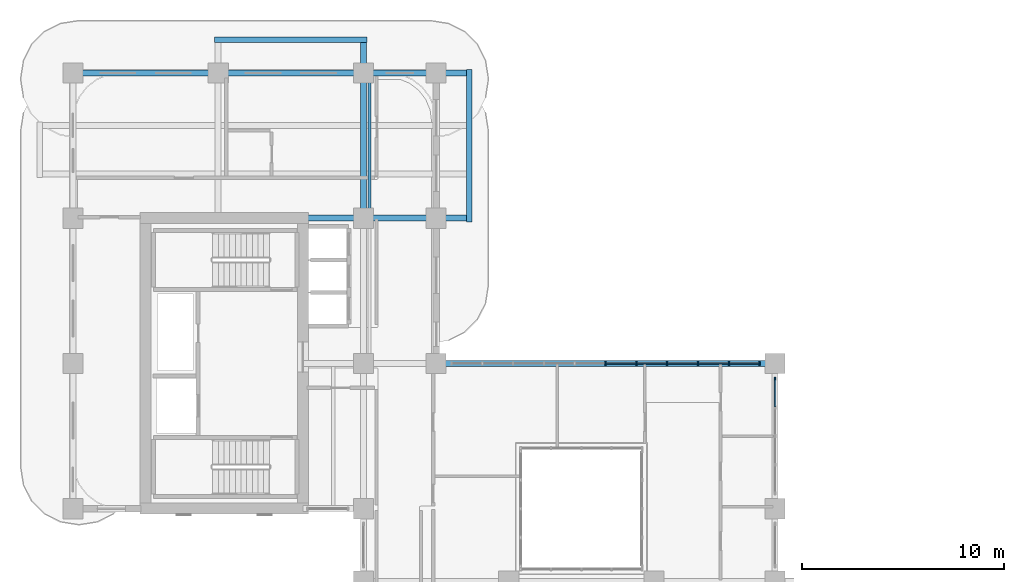
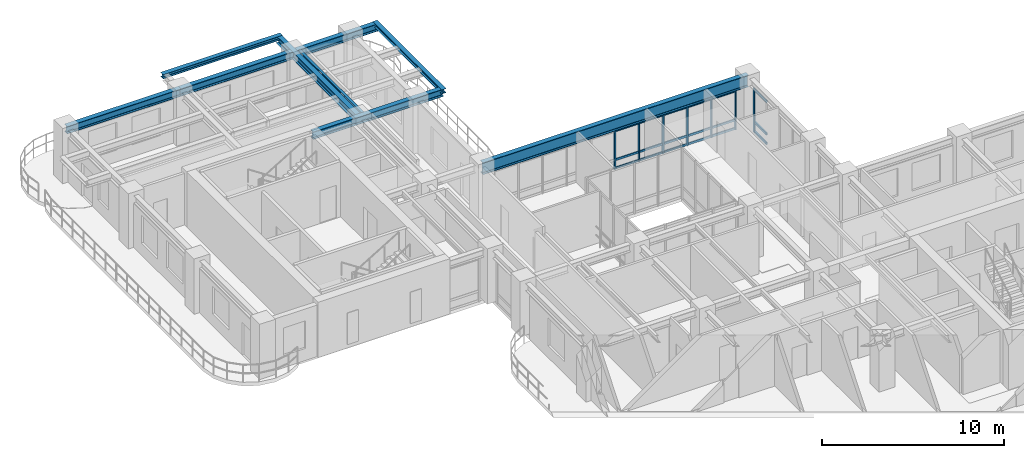
# One storey, part 6 of 20: 25 members, 8 beams, 2 elements without a shape of their own.
"""IFC4 building model written with IfcOpenShell, lengths in metres."""

import ifcopenshell
import ifcopenshell.guid

model = None  # the IFC model being written
_history = None  # IfcOwnerHistory: only IFC2X3 demands one
_inside = {}  # id of a spatial element -> (the spatial element, [elements in it])
_under = {}  # id of a project, library or spatial element -> (it, [spatial elements below it])
_declared = {}  # id of a project -> (the project, [libraries it declares])
_typed = {}  # id of a type object -> (the type object, [elements of that type])
_made_of = {}  # id of a material, layer set ... -> (it, [elements and type objects made of it])


def new_model(schema):
    """Start an empty IFC model of exactly this schema.

    Asked for "IFC4X3", IfcOpenShell would pick the latest addendum, in which some entities
    have other attributes; the version numbers below select the first issue.
    IFC2X3 requires an IfcOwnerHistory on every rooted entity: one is made here for all.
    """
    global model, _history
    if schema == "IFC4X3":
        model = ifcopenshell.file(schema_version=(4, 3, 0, 0))
    else:
        model = ifcopenshell.file(schema=schema)
    _inside.clear()
    _under.clear()
    _declared.clear()
    _typed.clear()
    _made_of.clear()
    _history = None
    if model.schema == "IFC2X3":
        org = make("IfcOrganization", Name="unknown")
        user = make(
            "IfcPersonAndOrganization",
            ThePerson=make("IfcPerson", FamilyName="unknown"),
            TheOrganization=org,
        )
        app = make(
            "IfcApplication",
            ApplicationDeveloper=org,
            Version="unknown",
            ApplicationFullName="unknown",
            ApplicationIdentifier="unknown",
        )
        _history = make(
            "IfcOwnerHistory",
            OwningUser=user,
            OwningApplication=app,
            ChangeAction="ADDED",
            CreationDate=0,
        )
    return model


def make(cls, **values):
    """One entity of the class cls with the attributes given. An attribute that is None is left unset."""
    return model.create_entity(
        cls, **{name: value for name, value in values.items() if value is not None}
    )


def rooted(cls, **values):
    """An entity with a GlobalId (a new one), such as an element, a storey or a relation."""
    return make(cls, GlobalId=ifcopenshell.guid.new(), OwnerHistory=_history, **values)


def si_unit(unit_type, name, prefix=None):
    """IfcSIUnit, for example si_unit("LENGTHUNIT", "METRE", prefix="MILLI")."""
    return make("IfcSIUnit", UnitType=unit_type, Prefix=prefix, Name=name)


def derived_unit(unit_type, elements):
    """IfcDerivedUnit: a product of units, each with its exponent."""
    return make(
        "IfcDerivedUnit",
        Elements=[
            make("IfcDerivedUnitElement", Unit=unit, Exponent=power)
            for unit, power in elements
        ],
        UnitType=unit_type,
    )


def assignment(units):
    """IfcUnitAssignment: the units of a project."""
    return None if units is None else make("IfcUnitAssignment", Units=units)


def point(xyz):
    """IfcCartesianPoint."""
    return None if xyz is None else make("IfcCartesianPoint", Coordinates=xyz)


def direction(xyz):
    """IfcDirection."""
    return None if xyz is None else make("IfcDirection", DirectionRatios=xyz)


def frame(location, z_axis=None, x_axis=None):
    """IfcAxis2Placement3D, a coordinate frame: its origin and axes. An axis left out is left unset."""
    return make(
        "IfcAxis2Placement3D",
        Location=point(location),
        Axis=direction(z_axis),
        RefDirection=direction(x_axis),
    )


def frame_2d(location, x_axis=None):
    """IfcAxis2Placement2D, a coordinate frame in the plane: its origin and x axis."""
    return make(
        "IfcAxis2Placement2D", Location=point(location), RefDirection=direction(x_axis)
    )


def origin():
    """The frame at (0, 0, 0) with its axes left unset."""
    return frame((0.0, 0.0, 0.0))


def origin_2d():
    """The frame at (0, 0) in the plane with its x axis left unset."""
    return frame_2d((0.0, 0.0))


def place(relative_to, where):
    """IfcLocalPlacement: puts the frame where relative to a parent placement (None: the world)."""
    return make(
        "IfcLocalPlacement", PlacementRelTo=relative_to, RelativePlacement=where
    )


def context(
    kind, dimensions, precision=None, world=None, true_north=None, identifier=None
):
    """IfcGeometricRepresentationContext, for example the 3D "Model" context."""
    return make(
        "IfcGeometricRepresentationContext",
        ContextIdentifier=identifier,
        ContextType=kind,
        CoordinateSpaceDimension=dimensions,
        Precision=precision,
        WorldCoordinateSystem=world,
        TrueNorth=true_north,
    )


def subcontext(parent, identifier, kind, view, scale=None):
    """IfcGeometricRepresentationSubContext, for example "Body" below "Model"."""
    return make(
        "IfcGeometricRepresentationSubContext",
        ContextIdentifier=identifier,
        ContextType=kind,
        ParentContext=parent,
        TargetScale=scale,
        TargetView=view,
    )


def project(units=None, contexts=None):
    """IfcProject with its units and contexts."""
    return rooted(
        "IfcProject",
        Name="project",
        RepresentationContexts=contexts,
        UnitsInContext=assignment(units),
    )


def spatial(cls, under=None, at=None, **own):
    """A site, building, storey or space (cls), placed at a placement, below another one or the project."""
    s = rooted(cls, ObjectPlacement=at, **own)
    if under is not None:
        _under.setdefault(under.id(), (under, []))[1].append(s)
    return s


def profile(cls, at=None, kind="AREA", **sizes):
    """A parametric profile (cls). Its sizes go by their IFC names, for example OverallWidth=200.0."""
    return make(cls, ProfileType=kind, Position=at, **sizes)


def rectangle(**sizes):
    """IfcRectangleProfileDef."""
    return profile("IfcRectangleProfileDef", **sizes)


def i_section(**sizes):
    """IfcIShapeProfileDef."""
    return profile("IfcIShapeProfileDef", **sizes)


def extrude(swept, where, along, depth):
    """IfcExtrudedAreaSolid: the profile swept, set in the frame where, extruded along a direction by depth."""
    return make(
        "IfcExtrudedAreaSolid",
        SweptArea=swept,
        Position=where,
        ExtrudedDirection=direction(along),
        Depth=depth,
    )


def shape(context_of_items, identifier, shape_type, items):
    """IfcShapeRepresentation: the items that make up one representation, for example the "Body"."""
    return make(
        "IfcShapeRepresentation",
        ContextOfItems=context_of_items,
        RepresentationIdentifier=identifier,
        RepresentationType=shape_type,
        Items=items,
    )


def source(mapping_origin, context_of_items, identifier, shape_type, items):
    """IfcRepresentationMap: a shape defined once, which mapped items show again and again."""
    return make(
        "IfcRepresentationMap",
        MappingOrigin=mapping_origin,
        MappedRepresentation=shape(context_of_items, identifier, shape_type, items),
    )


def transform(
    local_origin,
    x_axis=None,
    y_axis=None,
    z_axis=None,
    scale=None,
    scale2=None,
    scale3=None,
    uniform=True,
):
    """IfcCartesianTransformationOperator3D, or its non-uniform kind. x_axis, y_axis, z_axis: its Axis1, 2, 3."""
    if uniform:
        return make(
            "IfcCartesianTransformationOperator3D",
            Axis1=direction(x_axis),
            Axis2=direction(y_axis),
            LocalOrigin=point(local_origin),
            Scale=scale,
            Axis3=direction(z_axis),
        )
    return make(
        "IfcCartesianTransformationOperator3DnonUniform",
        Axis1=direction(x_axis),
        Axis2=direction(y_axis),
        LocalOrigin=point(local_origin),
        Scale=scale,
        Axis3=direction(z_axis),
        Scale2=scale2,
        Scale3=scale3,
    )


def mapped(mapping_source, mapping_target):
    """IfcMappedItem: shows the shape of a source again, moved by a transform."""
    return make(
        "IfcMappedItem", MappingSource=mapping_source, MappingTarget=mapping_target
    )


def material(Name=None, Category=None):
    """IfcMaterial."""
    return make("IfcMaterial", Name=Name, Category=Category)


def layer(
    of_material, thickness, ventilated=None, Name=None, Category=None, Priority=None
):
    """IfcMaterialLayer: one layer of a wall or slab, of a material (None: an air gap)."""
    return make(
        "IfcMaterialLayer",
        Material=of_material,
        LayerThickness=thickness,
        IsVentilated=ventilated,
        Name=Name,
        Category=Category,
        Priority=Priority,
    )


def layer_set(layers, Name=None):
    """IfcMaterialLayerSet."""
    return make("IfcMaterialLayerSet", MaterialLayers=layers, LayerSetName=Name)


def material_profile(
    of_material, cross_section, Name=None, Category=None, Priority=None
):
    """IfcMaterialProfile: a cross section and its material."""
    return make(
        "IfcMaterialProfile",
        Name=Name,
        Material=of_material,
        Profile=cross_section,
        Priority=Priority,
        Category=Category,
    )


def profile_set(profiles, Name=None, composite=None):
    """IfcMaterialProfileSet."""
    return make(
        "IfcMaterialProfileSet",
        Name=Name,
        MaterialProfiles=profiles,
        CompositeProfile=composite,
    )


def made_of(thing, what):
    """Note that an element or type object is made of a material, layer set ...; save() writes the relation."""
    if what is not None:
        _made_of.setdefault(what.id(), (what, []))[1].append(thing)
    return thing


def type_object(cls, material=None, **own):
    """A type object (cls), such as IfcWallType, which elements share."""
    return made_of(rooted(cls, **own), material)


def type_shapes(of_type, sources):
    """Give a type object the sources (RepresentationMaps) that its elements show as mapped items."""
    of_type.RepresentationMaps = sources


def element(
    cls,
    number,
    at=None,
    inside=None,
    cuts=None,
    type_object=None,
    material=None,
    context=None,
    identifier="Body",
    shape_type=None,
    held_by="IfcProductDefinitionShape",
    body=None,
    shapes=None,
    **own,
):
    """One element of the class cls, such as IfcWall. Its Tag is "e" and its number.

    at: its placement. inside: the storey or other place that contains it. cuts: it is an
    opening in that element (IfcRelVoidsElement). A single representation is given by context,
    identifier, shape_type and body (its items); several are given by shapes. held_by: the class
    of the entity that holds the representations. save() writes the other relations.
    """
    e = rooted(cls, Tag="e%d" % number, ObjectPlacement=at, **own)
    if body is not None:
        shapes = [shape(context, identifier, shape_type, body)]
    if shapes is not None:
        e.Representation = make(held_by, Representations=shapes)
    if inside is not None:
        _inside.setdefault(inside.id(), (inside, []))[1].append(e)
    if cuts is not None:
        rooted(
            "IfcRelVoidsElement", RelatingBuildingElement=cuts, RelatedOpeningElement=e
        )
    if type_object is not None:
        _typed.setdefault(type_object.id(), (type_object, []))[1].append(e)
    return made_of(e, material)


def aggregate(whole, parts):
    """IfcRelAggregates: a whole, such as a stair, and the parts it consists of."""
    return rooted("IfcRelAggregates", RelatingObject=whole, RelatedObjects=parts)


def save(model, path):
    """Write the relations noted so far, then the file.

    IfcRelAggregates (storeys below a building ...), IfcRelContainedInSpatialStructure (elements
    in a storey), IfcRelDefinesByType, IfcRelAssociatesMaterial and IfcRelDeclares: one each for
    every whole, place, type object, material and project.
    """
    for whole, parts in _under.values():
        aggregate(whole, parts)
    for where, things in _inside.values():
        rooted(
            "IfcRelContainedInSpatialStructure",
            RelatedElements=things,
            RelatingStructure=where,
        )
    for kind, things in _typed.values():
        rooted("IfcRelDefinesByType", RelatedObjects=things, RelatingType=kind)
    for what, things in _made_of.values():
        rooted("IfcRelAssociatesMaterial", RelatedObjects=things, RelatingMaterial=what)
    for by, libraries in _declared.values():
        rooted("IfcRelDeclares", RelatingContext=by, RelatedDefinitions=libraries)
    model.write(path)


model = new_model("IFC4")

# Units and contexts
model_context = context("Model", 3, precision=1e-05, world=origin(), true_north=direction((0.0, 1.0)))
body_context = subcontext(model_context, "Body", "Model", "MODEL_VIEW")
ifc_project = project(units=[si_unit("LENGTHUNIT", "METRE"), si_unit("AREAUNIT", "SQUARE_METRE"), si_unit("VOLUMEUNIT", "CUBIC_METRE"), si_unit("PLANEANGLEUNIT", "RADIAN"), si_unit("MASSUNIT", "GRAM", prefix="KILO"), si_unit("THERMODYNAMICTEMPERATUREUNIT", "KELVIN"), si_unit("POWERUNIT", "WATT"), derived_unit("THERMALTRANSMITTANCEUNIT", [(si_unit("POWERUNIT", "WATT"), 1), (si_unit("AREAUNIT", "SQUARE_METRE"), -1), (si_unit("THERMODYNAMICTEMPERATUREUNIT", "KELVIN"), -1)])], contexts=[model_context])

# Site, building, storey
site_placement = place(None, origin())
site = spatial("IfcSite", under=ifc_project, at=site_placement, CompositionType="ELEMENT")
building_placement = place(site_placement, origin())
building = spatial("IfcBuilding", under=site, at=building_placement, Name="Zahravan Archway Hotel and Residences", CompositionType="ELEMENT")
storey_placement = place(building_placement, frame((0.0, 0.0, 137.699951171875)))
storey = spatial("IfcBuildingStorey", under=building, at=storey_placement, Name="L34", CompositionType="ELEMENT", Elevation=137.699951171875)

# Beams
ifc_material_1 = material(Name="Structural Steel S355JR", Category="steel")
ifc_material_profile_1 = material_profile(ifc_material_1, i_section(OverallWidth=0.280029296875, OverallDepth=0.280029296875, WebThickness=0.010498046875, FlangeThickness=0.01806640625, FilletRadius=0.02392578125, at=origin_2d()), Name="HEB 280", Category="steel")
ifc_profile_set_1 = profile_set([ifc_material_profile_1], Name="Structural Steel S355JR")
beam_type_1 = type_object("IfcBeamType", Name="BM-SPN-HEB280", PredefinedType="SPANDREL", material=ifc_profile_set_1)
shared_shape_1 = source(origin(), body_context, "Body", "SweptSolid", [
    extrude(i_section(OverallWidth=0.280029296875, OverallDepth=0.280029296875, WebThickness=0.010498046875, FlangeThickness=0.01806640625, FilletRadius=0.02392578125, at=origin_2d()), origin(), (0.0, 0.0, 1.0), 7.56005859375),
])
type_shapes(beam_type_1, [shared_shape_1])
for number, where, z_axis, x_axis, name in (
    (1, (19.64990234375, 39.419921875, 3.31005859375), (0.0, 1.0, 0.0), (-1.0, 0.0, 0.0), "L35 EB Balcony Edge Spandrel"),
    (2, (7.02001953125, 48.449951171875, 3.31005859375), (1.0, 0.0, 0.0), (0.0, 1.0, 0.0), "L35 NB Balcony Edge Spandrel"),
):
    element("IfcBeam", number, at=place(storey_placement, frame(where, z_axis=z_axis, x_axis=x_axis)), inside=storey, type_object=beam_type_1, Name=name, PredefinedType="SPANDREL", context=body_context, shape_type="MappedRepresentation", body=[
        mapped(shared_shape_1, transform((0.0, 0.0, 0.0), scale=1.0)),
    ])
ifc_material_2 = material(Name="Structural Steel S355J2", Category="steel")
ifc_material_profile_2 = material_profile(ifc_material_2, i_section(OverallWidth=0.300048828125, OverallDepth=0.800048828125, WebThickness=0.017578125, FlangeThickness=0.032958984375, FilletRadius=0.030029296875, at=origin_2d()), Name="HEB 800", Category="steel")
ifc_profile_set_2 = profile_set([ifc_material_profile_2], Name="Structural Steel S355J2")
beam_type_2 = type_object("IfcBeamType", Name="BM-PRI-HEB800", PredefinedType="BEAM", material=ifc_profile_set_2)
shared_shape_2 = source(origin(), body_context, "Body", "SweptSolid", [
    extrude(i_section(OverallWidth=0.300048828125, OverallDepth=0.800048828125, WebThickness=0.017578125, FlangeThickness=0.032958984375, FilletRadius=0.030029296875, at=origin_2d()), origin(), (0.0, 0.0, 1.0), 16.800048828125),
])
type_shapes(beam_type_2, [shared_shape_2])
beam_1_placement = place(storey_placement, frame((18.0, 32.39990234375, 3.050048828125), z_axis=(1.0, 0.0, 0.0), x_axis=(0.0, 1.0, 0.0)))
element("IfcBeam", 3, at=beam_1_placement, inside=storey, type_object=beam_type_2, Name="L34 Primary Girder EW-18", PredefinedType="BEAM", context=body_context, shape_type="MappedRepresentation", body=[
    mapped(shared_shape_2, transform((0.0, 0.0, 0.0), scale=1.0)),
])
ifc_material_profile_3 = material_profile(ifc_material_1, i_section(OverallWidth=0.300048828125, OverallDepth=0.5, WebThickness=0.014404296875, FlangeThickness=0.028076171875, FilletRadius=0.027099609375, at=origin_2d()), Name="HEB 500", Category="steel")
ifc_profile_set_3 = profile_set([ifc_material_profile_3], Name="Structural Steel S355JR")
beam_type_3 = type_object("IfcBeamType", Name="BM-PRI-HEB500", PredefinedType="BEAM", material=ifc_profile_set_3)
shared_shape_3 = source(origin(), body_context, "Body", "SweptSolid", [
    extrude(i_section(OverallWidth=0.300048828125, OverallDepth=0.5, WebThickness=0.014404296875, FlangeThickness=0.028076171875, FilletRadius=0.027099609375, at=origin_2d()), origin(), (0.0, 0.0, 1.0), 7.199951171875),
])
beam_2_placement = place(storey_placement, frame((0.0, 46.800048828125, 3.199951171875), z_axis=(1.0, 0.0, 0.0), x_axis=(0.0, 1.0, 0.0)))
element("IfcBeam", 4, at=beam_2_placement, inside=storey, type_object=beam_type_3, Name="L34 Primary Girder EW-20", PredefinedType="BEAM", context=body_context, shape_type="MappedRepresentation", body=[
    mapped(shared_shape_3, transform((0.0, 0.0, 0.0), scale=1.0)),
])
ifc_material_profile_4 = material_profile(ifc_material_1, i_section(OverallWidth=0.159912109375, OverallDepth=0.330078125, WebThickness=0.007568359375, FlangeThickness=0.011474609375, FilletRadius=0.01806640625, at=origin_2d()), Name="IPE 330", Category="steel")
ifc_profile_set_4 = profile_set([ifc_material_profile_4], Name="Structural Steel S355JR")
beam_type_4 = type_object("IfcBeamType", Name="BM-JST-IPE330", PredefinedType="JOIST", material=ifc_profile_set_4)
shared_shape_4 = source(origin(), body_context, "Body", "SweptSolid", [
    extrude(i_section(OverallWidth=0.159912109375, OverallDepth=0.330078125, WebThickness=0.007568359375, FlangeThickness=0.011474609375, FilletRadius=0.01806640625, at=origin_2d()), origin(), (0.0, 0.0, 1.0), 6.904052734375),
])
type_shapes(beam_type_4, [shared_shape_4])
beam_3_placement = place(storey_placement, frame((14.699951171875, 39.748046875, 3.28515625), z_axis=(0.0, 1.0, 0.0), x_axis=(-1.0, 0.0, 0.0)))
element("IfcBeam", 5, at=beam_3_placement, inside=storey, type_object=beam_type_4, Name="L34 Composite Floor Joist 12", PredefinedType="JOIST", context=body_context, shape_type="MappedRepresentation", body=[
    mapped(shared_shape_4, transform((0.0, 0.0, 0.0), scale=1.0)),
])
shared_shape_5 = source(origin(), body_context, "Body", "SweptSolid", [
    extrude(i_section(OverallWidth=0.300048828125, OverallDepth=0.5, WebThickness=0.014404296875, FlangeThickness=0.028076171875, FilletRadius=0.027099609375, at=origin_2d()), origin(), (0.0, 0.0, 1.0), 8.25),
])
beam_4_placement = place(storey_placement, frame((11.39990234375, 39.60009765625, 3.199951171875), z_axis=(1.0, 0.0, 0.0), x_axis=(0.0, 1.0, 0.0)))
element("IfcBeam", 6, at=beam_4_placement, inside=storey, type_object=beam_type_3, Name="L34 Primary Girder EW-19", PredefinedType="BEAM", context=body_context, shape_type="MappedRepresentation", body=[
    mapped(shared_shape_5, transform((0.0, 0.0, 0.0), scale=1.0)),
])
shared_shape_6 = source(origin(), body_context, "Body", "SweptSolid", [
    extrude(i_section(OverallWidth=0.300048828125, OverallDepth=0.5, WebThickness=0.014404296875, FlangeThickness=0.028076171875, FilletRadius=0.027099609375, at=origin_2d()), origin(), (0.0, 0.0, 1.0), 12.449951171875),
])
beam_5_placement = place(storey_placement, frame((7.199951171875, 46.800048828125, 3.199951171875), z_axis=(1.0, 0.0, 0.0), x_axis=(0.0, 1.0, 0.0)))
element("IfcBeam", 7, at=beam_5_placement, inside=storey, type_object=beam_type_3, Name="L34 Primary Girder EW-21", PredefinedType="BEAM", context=body_context, shape_type="MappedRepresentation", body=[
    mapped(shared_shape_6, transform((0.0, 0.0, 0.0), scale=1.0)),
])
shared_shape_7 = source(origin(), body_context, "Body", "SweptSolid", [
    extrude(i_section(OverallWidth=0.300048828125, OverallDepth=0.5, WebThickness=0.014404296875, FlangeThickness=0.028076171875, FilletRadius=0.027099609375, at=origin_2d()), origin(), (0.0, 0.0, 1.0), 8.849853515625),
])
beam_6_placement = place(storey_placement, frame((14.39990234375, 39.60009765625, 3.199951171875), z_axis=(0.0, 1.0, 0.0), x_axis=(-1.0, 0.0, 0.0)))
element("IfcBeam", 8, at=beam_6_placement, inside=storey, type_object=beam_type_3, Name="L34 Primary Girder NS-34", PredefinedType="BEAM", context=body_context, shape_type="MappedRepresentation", body=[
    mapped(shared_shape_7, transform((0.0, 0.0, 0.0), scale=1.0)),
])

# Curtain wall, members
ifc_material_3 = material(Name="Bronze-Anodized Unitised Aluminium & Low-E Glass", Category="aluminium")
ifc_layer = layer(ifc_material_3, 0.179931640625, Name="Bronze-Anodized Unitised Aluminium & Low-E Glass", Category="aluminium")
ifc_layer_set = layer_set([ifc_layer], Name="Bronze-Anodized Unitised Aluminium & Low-E Glass")
curtain_wall_type = type_object("IfcCurtainWallType", Name="CW-ATR-GLAZ", PredefinedType="NOTDEFINED", material=ifc_layer_set)
curtain_wall_1_placement = place(storey_placement, origin())
curtain_wall_1 = element("IfcCurtainWall", 9, at=curtain_wall_1_placement, inside=storey, type_object=curtain_wall_type, Name="L34 Curtain Wall CW-L34-HNG-E-2", PredefinedType="NOTDEFINED")
ifc_material_4 = material(Name="Bronze-Anodized Extruded Aluminium", Category="aluminium")
ifc_material_profile_5 = material_profile(ifc_material_4, rectangle(XDim=0.080078125, YDim=0.139892578125, at=origin_2d()), Name="TRN 80x140", Category="aluminium")
ifc_profile_set_5 = profile_set([ifc_material_profile_5], Name="Bronze-Anodized Extruded Aluminium")
member_type_1 = type_object("IfcMemberType", Name="CWM-TRN-140", PredefinedType="USERDEFINED", material=ifc_profile_set_5)
shared_shape_8 = source(origin(), body_context, "Body", "SweptSolid", [
    extrude(rectangle(XDim=0.080078125, YDim=0.139892578125, at=origin_2d()), origin(), (0.0, 0.0, 1.0), 1.340087890625),
])
member_1_placement = place(storey_placement, frame((34.800048828125, 30.260009765625, 0.070068359375), z_axis=(0.0, 1.0, 0.0), x_axis=(-1.0, 0.0, 0.0)))
member_1 = element("IfcMember", 10, at=member_1_placement, type_object=member_type_1, Name="CW-L34-HNG-E-2 Transom 3-1", ObjectType="TRANSOM", PredefinedType="USERDEFINED", context=body_context, shape_type="MappedRepresentation", body=[
    mapped(shared_shape_8, transform((0.0, 0.0, 0.0), scale=1.0)),
])
member_2_placement = place(storey_placement, frame((34.800048828125, 30.260009765625, 0.704345703125), z_axis=(0.0, 1.0, 0.0), x_axis=(-1.0, 0.0, 0.0)))
member_2 = element("IfcMember", 11, at=member_2_placement, type_object=member_type_1, Name="CW-L34-HNG-E-2 Transom 3-2", ObjectType="TRANSOM", PredefinedType="USERDEFINED", context=body_context, shape_type="MappedRepresentation", body=[
    mapped(shared_shape_8, transform((0.0, 0.0, 0.0), scale=1.0)),
])
member_3_placement = place(storey_placement, frame((34.800048828125, 30.260009765625, 2.864990234375), z_axis=(0.0, 1.0, 0.0), x_axis=(-1.0, 0.0, 0.0)))
member_3 = element("IfcMember", 12, at=member_3_placement, type_object=member_type_1, Name="CW-L34-HNG-E-2 Transom 3-3", ObjectType="TRANSOM", PredefinedType="USERDEFINED", context=body_context, shape_type="MappedRepresentation", body=[
    mapped(shared_shape_8, transform((0.0, 0.0, 0.0), scale=1.0)),
])

curtain_wall_2_placement = place(storey_placement, origin())
curtain_wall_2 = element("IfcCurtainWall", 13, at=curtain_wall_2_placement, inside=storey, type_object=curtain_wall_type, Name="L34 Curtain Wall CW-L34-HNG-N-1", PredefinedType="NOTDEFINED")
ifc_material_profile_6 = material_profile(ifc_material_4, rectangle(XDim=0.080078125, YDim=0.159912109375, at=origin_2d()), Name="MUL 80x160", Category="aluminium")
ifc_profile_set_6 = profile_set([ifc_material_profile_6], Name="Bronze-Anodized Extruded Aluminium")
member_type_2 = type_object("IfcMemberType", Name="CWM-MUL-160", PredefinedType="MULLION", material=ifc_profile_set_6)
shared_shape_9 = source(origin(), body_context, "Body", "SweptSolid", [
    extrude(rectangle(XDim=0.080078125, YDim=0.159912109375, at=origin_2d()), origin(), (0.0, 0.0, 1.0), 2.635009765625),
])
member_4_placement = place(storey_placement, frame((26.39990234375, 32.39990234375, 0.0), z_axis=(0.0, 0.0, 1.0), x_axis=(1.0, 0.0, 0.0)))
member_4 = element("IfcMember", 14, at=member_4_placement, type_object=member_type_2, Name="CW-L34-HNG-N-1 Mullion 5", PredefinedType="MULLION", context=body_context, shape_type="MappedRepresentation", body=[
    mapped(shared_shape_9, transform((0.0, 0.0, 0.0), scale=1.0)),
])
member_5_placement = place(storey_placement, frame((27.927978515625, 32.39990234375, 0.0), z_axis=(0.0, 0.0, 1.0), x_axis=(1.0, 0.0, 0.0)))
member_5 = element("IfcMember", 15, at=member_5_placement, type_object=member_type_2, Name="CW-L34-HNG-N-1 Mullion 6", PredefinedType="MULLION", context=body_context, shape_type="MappedRepresentation", body=[
    mapped(shared_shape_9, transform((0.0, 0.0, 0.0), scale=1.0)),
])
member_6_placement = place(storey_placement, frame((29.4560546875, 32.39990234375, 0.0), z_axis=(0.0, 0.0, 1.0), x_axis=(1.0, 0.0, 0.0)))
member_6 = element("IfcMember", 16, at=member_6_placement, type_object=member_type_2, Name="CW-L34-HNG-N-1 Mullion 7", PredefinedType="MULLION", context=body_context, shape_type="MappedRepresentation", body=[
    mapped(shared_shape_9, transform((0.0, 0.0, 0.0), scale=1.0)),
])
member_7_placement = place(storey_placement, frame((30.98388671875, 32.39990234375, 0.0), z_axis=(0.0, 0.0, 1.0), x_axis=(1.0, 0.0, 0.0)))
member_7 = element("IfcMember", 17, at=member_7_placement, type_object=member_type_2, Name="CW-L34-HNG-N-1 Mullion 8", PredefinedType="MULLION", context=body_context, shape_type="MappedRepresentation", body=[
    mapped(shared_shape_9, transform((0.0, 0.0, 0.0), scale=1.0)),
])
member_8_placement = place(storey_placement, frame((32.511962890625, 32.39990234375, 0.0), z_axis=(0.0, 0.0, 1.0), x_axis=(1.0, 0.0, 0.0)))
member_8 = element("IfcMember", 18, at=member_8_placement, type_object=member_type_2, Name="CW-L34-HNG-N-1 Mullion 9", PredefinedType="MULLION", context=body_context, shape_type="MappedRepresentation", body=[
    mapped(shared_shape_9, transform((0.0, 0.0, 0.0), scale=1.0)),
])
member_9_placement = place(storey_placement, frame((34.0400390625, 32.39990234375, 0.0), z_axis=(0.0, 0.0, 1.0), x_axis=(1.0, 0.0, 0.0)))
member_9 = element("IfcMember", 19, at=member_9_placement, type_object=member_type_2, Name="CW-L34-HNG-N-1 Mullion 10", PredefinedType="MULLION", context=body_context, shape_type="MappedRepresentation", body=[
    mapped(shared_shape_9, transform((0.0, 0.0, 0.0), scale=1.0)),
])
shared_shape_10 = source(origin(), body_context, "Body", "SweptSolid", [
    extrude(rectangle(XDim=0.080078125, YDim=0.139892578125, at=origin_2d()), origin(), (0.0, 0.0, 1.0), 1.447998046875),
])
member_10_placement = place(storey_placement, frame((26.43994140625, 32.39990234375, 0.070068359375), z_axis=(1.0, 0.0, 0.0), x_axis=(0.0, 1.0, 0.0)))
member_10 = element("IfcMember", 20, at=member_10_placement, type_object=member_type_1, Name="CW-L34-HNG-N-1 Transom 5-1", ObjectType="TRANSOM", PredefinedType="USERDEFINED", context=body_context, shape_type="MappedRepresentation", body=[
    mapped(shared_shape_10, transform((0.0, 0.0, 0.0), scale=1.0)),
])
member_11_placement = place(storey_placement, frame((26.43994140625, 32.39990234375, 0.632568359375), z_axis=(1.0, 0.0, 0.0), x_axis=(0.0, 1.0, 0.0)))
member_11 = element("IfcMember", 21, at=member_11_placement, type_object=member_type_1, Name="CW-L34-HNG-N-1 Transom 5-2", ObjectType="TRANSOM", PredefinedType="USERDEFINED", context=body_context, shape_type="MappedRepresentation", body=[
    mapped(shared_shape_10, transform((0.0, 0.0, 0.0), scale=1.0)),
])
member_12_placement = place(storey_placement, frame((26.43994140625, 32.39990234375, 2.56494140625), z_axis=(1.0, 0.0, 0.0), x_axis=(0.0, 1.0, 0.0)))
member_12 = element("IfcMember", 22, at=member_12_placement, type_object=member_type_1, Name="CW-L34-HNG-N-1 Transom 5-3", ObjectType="TRANSOM", PredefinedType="USERDEFINED", context=body_context, shape_type="MappedRepresentation", body=[
    mapped(shared_shape_10, transform((0.0, 0.0, 0.0), scale=1.0)),
])
member_13_placement = place(storey_placement, frame((27.968017578125, 32.39990234375, 0.070068359375), z_axis=(1.0, 0.0, 0.0), x_axis=(0.0, 1.0, 0.0)))
member_13 = element("IfcMember", 23, at=member_13_placement, type_object=member_type_1, Name="CW-L34-HNG-N-1 Transom 6-1", ObjectType="TRANSOM", PredefinedType="USERDEFINED", context=body_context, shape_type="MappedRepresentation", body=[
    mapped(shared_shape_10, transform((0.0, 0.0, 0.0), scale=1.0)),
])
member_14_placement = place(storey_placement, frame((27.968017578125, 32.39990234375, 0.632568359375), z_axis=(1.0, 0.0, 0.0), x_axis=(0.0, 1.0, 0.0)))
member_14 = element("IfcMember", 24, at=member_14_placement, type_object=member_type_1, Name="CW-L34-HNG-N-1 Transom 6-2", ObjectType="TRANSOM", PredefinedType="USERDEFINED", context=body_context, shape_type="MappedRepresentation", body=[
    mapped(shared_shape_10, transform((0.0, 0.0, 0.0), scale=1.0)),
])
member_15_placement = place(storey_placement, frame((27.968017578125, 32.39990234375, 2.56494140625), z_axis=(1.0, 0.0, 0.0), x_axis=(0.0, 1.0, 0.0)))
member_15 = element("IfcMember", 25, at=member_15_placement, type_object=member_type_1, Name="CW-L34-HNG-N-1 Transom 6-3", ObjectType="TRANSOM", PredefinedType="USERDEFINED", context=body_context, shape_type="MappedRepresentation", body=[
    mapped(shared_shape_10, transform((0.0, 0.0, 0.0), scale=1.0)),
])
member_16_placement = place(storey_placement, frame((29.49609375, 32.39990234375, 0.070068359375), z_axis=(1.0, 0.0, 0.0), x_axis=(0.0, 1.0, 0.0)))
member_16 = element("IfcMember", 26, at=member_16_placement, type_object=member_type_1, Name="CW-L34-HNG-N-1 Transom 7-1", ObjectType="TRANSOM", PredefinedType="USERDEFINED", context=body_context, shape_type="MappedRepresentation", body=[
    mapped(shared_shape_10, transform((0.0, 0.0, 0.0), scale=1.0)),
])
member_17_placement = place(storey_placement, frame((29.49609375, 32.39990234375, 0.632568359375), z_axis=(1.0, 0.0, 0.0), x_axis=(0.0, 1.0, 0.0)))
member_17 = element("IfcMember", 27, at=member_17_placement, type_object=member_type_1, Name="CW-L34-HNG-N-1 Transom 7-2", ObjectType="TRANSOM", PredefinedType="USERDEFINED", context=body_context, shape_type="MappedRepresentation", body=[
    mapped(shared_shape_10, transform((0.0, 0.0, 0.0), scale=1.0)),
])
member_18_placement = place(storey_placement, frame((29.49609375, 32.39990234375, 2.56494140625), z_axis=(1.0, 0.0, 0.0), x_axis=(0.0, 1.0, 0.0)))
member_18 = element("IfcMember", 28, at=member_18_placement, type_object=member_type_1, Name="CW-L34-HNG-N-1 Transom 7-3", ObjectType="TRANSOM", PredefinedType="USERDEFINED", context=body_context, shape_type="MappedRepresentation", body=[
    mapped(shared_shape_10, transform((0.0, 0.0, 0.0), scale=1.0)),
])
member_19_placement = place(storey_placement, frame((31.02392578125, 32.39990234375, 0.070068359375), z_axis=(1.0, 0.0, 0.0), x_axis=(0.0, 1.0, 0.0)))
member_19 = element("IfcMember", 29, at=member_19_placement, type_object=member_type_1, Name="CW-L34-HNG-N-1 Transom 8-1", ObjectType="TRANSOM", PredefinedType="USERDEFINED", context=body_context, shape_type="MappedRepresentation", body=[
    mapped(shared_shape_10, transform((0.0, 0.0, 0.0), scale=1.0)),
])
member_20_placement = place(storey_placement, frame((31.02392578125, 32.39990234375, 0.632568359375), z_axis=(1.0, 0.0, 0.0), x_axis=(0.0, 1.0, 0.0)))
member_20 = element("IfcMember", 30, at=member_20_placement, type_object=member_type_1, Name="CW-L34-HNG-N-1 Transom 8-2", ObjectType="TRANSOM", PredefinedType="USERDEFINED", context=body_context, shape_type="MappedRepresentation", body=[
    mapped(shared_shape_10, transform((0.0, 0.0, 0.0), scale=1.0)),
])
member_21_placement = place(storey_placement, frame((31.02392578125, 32.39990234375, 2.56494140625), z_axis=(1.0, 0.0, 0.0), x_axis=(0.0, 1.0, 0.0)))
member_21 = element("IfcMember", 31, at=member_21_placement, type_object=member_type_1, Name="CW-L34-HNG-N-1 Transom 8-3", ObjectType="TRANSOM", PredefinedType="USERDEFINED", context=body_context, shape_type="MappedRepresentation", body=[
    mapped(shared_shape_10, transform((0.0, 0.0, 0.0), scale=1.0)),
])
member_22_placement = place(storey_placement, frame((32.552001953125, 32.39990234375, 0.070068359375), z_axis=(1.0, 0.0, 0.0), x_axis=(0.0, 1.0, 0.0)))
member_22 = element("IfcMember", 32, at=member_22_placement, type_object=member_type_1, Name="CW-L34-HNG-N-1 Transom 9-1", ObjectType="TRANSOM", PredefinedType="USERDEFINED", context=body_context, shape_type="MappedRepresentation", body=[
    mapped(shared_shape_10, transform((0.0, 0.0, 0.0), scale=1.0)),
])
member_23_placement = place(storey_placement, frame((32.552001953125, 32.39990234375, 0.632568359375), z_axis=(1.0, 0.0, 0.0), x_axis=(0.0, 1.0, 0.0)))
member_23 = element("IfcMember", 33, at=member_23_placement, type_object=member_type_1, Name="CW-L34-HNG-N-1 Transom 9-2", ObjectType="TRANSOM", PredefinedType="USERDEFINED", context=body_context, shape_type="MappedRepresentation", body=[
    mapped(shared_shape_10, transform((0.0, 0.0, 0.0), scale=1.0)),
])
member_24_placement = place(storey_placement, frame((32.552001953125, 32.39990234375, 2.56494140625), z_axis=(1.0, 0.0, 0.0), x_axis=(0.0, 1.0, 0.0)))
member_24 = element("IfcMember", 34, at=member_24_placement, type_object=member_type_1, Name="CW-L34-HNG-N-1 Transom 9-3", ObjectType="TRANSOM", PredefinedType="USERDEFINED", context=body_context, shape_type="MappedRepresentation", body=[
    mapped(shared_shape_10, transform((0.0, 0.0, 0.0), scale=1.0)),
])
aggregate(curtain_wall_2, [member_4, member_5, member_6, member_7, member_8, member_9, member_10, member_11, member_12, member_13, member_14, member_15, member_16, member_17, member_18, member_19, member_20, member_21, member_22, member_23, member_24])

# Member
shared_shape_11 = source(origin(), body_context, "Body", "SweptSolid", [
    extrude(rectangle(XDim=0.080078125, YDim=0.159912109375, at=origin_2d()), origin(), (0.0, 0.0, 1.0), 2.93505859375),
])
member_25_placement = place(storey_placement, frame((34.800048828125, 31.639892578125, 0.0), z_axis=(0.0, 0.0, 1.0), x_axis=(1.0, 0.0, 0.0)))
member_25 = element("IfcMember", 35, at=member_25_placement, type_object=member_type_2, Name="CW-L34-HNG-E-2 Mullion 4", PredefinedType="MULLION", context=body_context, shape_type="MappedRepresentation", body=[
    mapped(shared_shape_11, transform((0.0, 0.0, 0.0), scale=1.0)),
])

aggregate(curtain_wall_1, [member_25, member_1, member_2, member_3])

save(model, "model.ifc")
